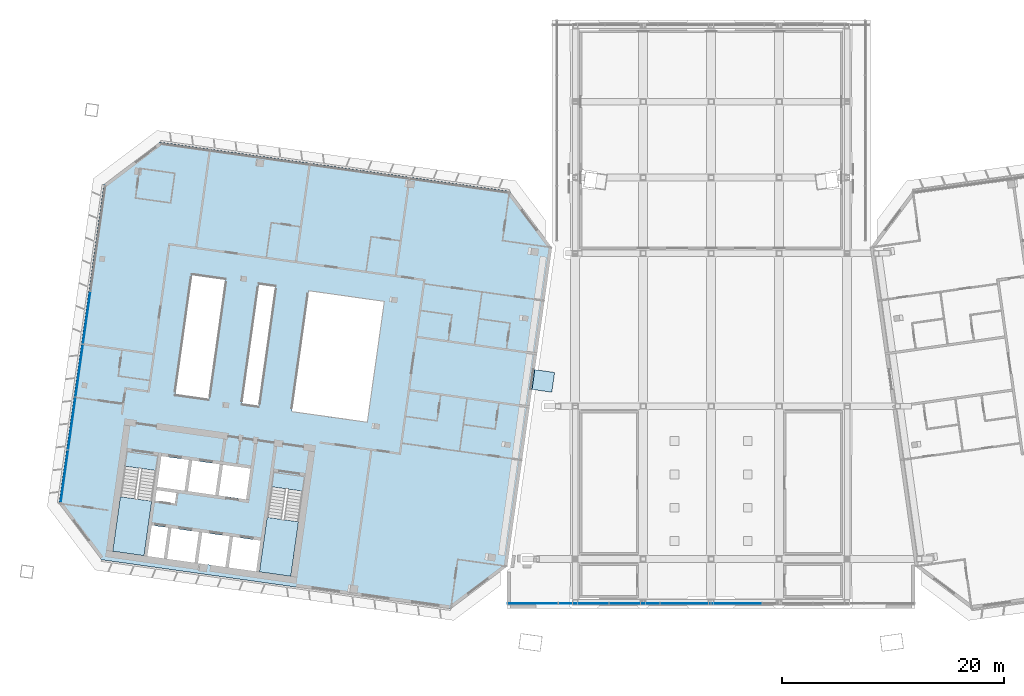
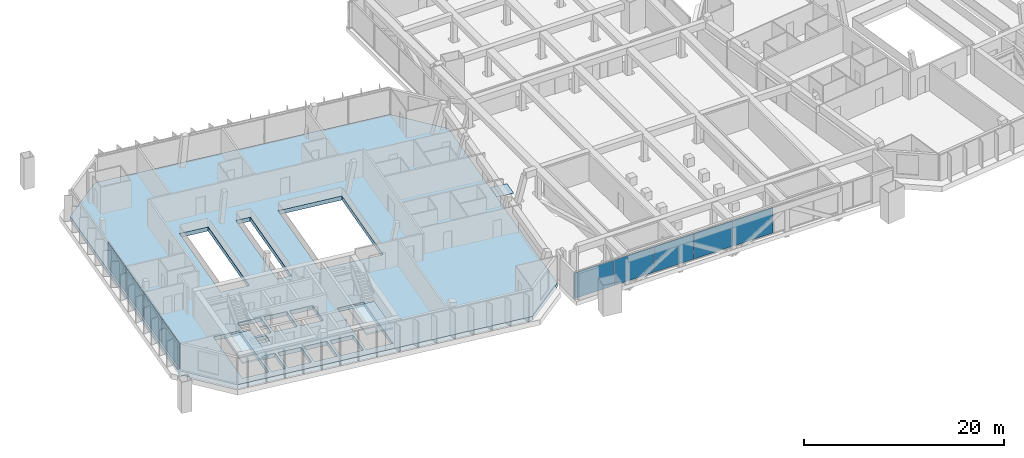
# One storey, part 16 of 30: 10 plates, 3 slabs, 4 elements without a shape of their own.
"""IFC4 building model written with IfcOpenShell, lengths in metres."""

from ifc_helpers import new_model, si_unit, direction, frame, origin, origin_2d, place, context, subcontext, project, spatial, polyline, rectangle, outline, extrude, material, layer, layer_set, type_object, element, aggregate, save


model = new_model("IFC4")

# Units and contexts
model_context = context("Model", 3, precision=1e-05, world=origin(), true_north=direction((0.0, 1.0)))
body_context = subcontext(model_context, "Body", "Model", "MODEL_VIEW")
ifc_project = project(units=[si_unit("LENGTHUNIT", "METRE"), si_unit("AREAUNIT", "SQUARE_METRE"), si_unit("VOLUMEUNIT", "CUBIC_METRE"), si_unit("PLANEANGLEUNIT", "RADIAN"), si_unit("MASSUNIT", "GRAM", prefix="KILO")], contexts=[model_context])

# Site, building, storey
site_placement = place(None, origin())
site = spatial("IfcSite", under=ifc_project, at=site_placement, CompositionType="ELEMENT")
building_placement = place(site_placement, origin())
building = spatial("IfcBuilding", under=site, at=building_placement, Name="Mirante Cascada Hotel Towers", CompositionType="ELEMENT")
storey_placement = place(building_placement, frame((0.0, 0.0, 258.4)))
storey = spatial("IfcBuildingStorey", under=building, at=storey_placement, Name="L62", CompositionType="ELEMENT", Elevation=258.4)

# Curtain wall, plates
ifc_material_1 = material(Name="Aluminium mullion and transom frame with clear laminated glass", Category="aluminium")
curtain_wall_type_1 = type_object("IfcCurtainWallType", Name="End ribbon curtain wall ECW2", PredefinedType="NOTDEFINED", material=ifc_material_1)
curtain_wall_1_placement = place(storey_placement, origin())
curtain_wall_1 = element("IfcCurtainWall", 1, at=curtain_wall_1_placement, inside=storey, type_object=curtain_wall_type_1, Name="Outer end wall T1 L62", PredefinedType="NOTDEFINED")
ifc_material_2 = material(Name="Clear laminated glass", Category="glass")
ifc_layer_1 = layer(ifc_material_2, 0.034)
ifc_layer_set_1 = layer_set([ifc_layer_1], Name="ECW2 glass panel 34")
plate_type_1 = type_object("IfcPlateType", Name="ECW2 glass panel 34", PredefinedType="CURTAIN_PANEL", material=ifc_layer_set_1)
plate_1_placement = place(storey_placement, frame((-58.2609, -10.1616, 0.1), z_axis=(0.0, 0.0, 1.0), x_axis=(0.1391731, 0.9902681, 0.0)))
plate_1 = element("IfcPlate", 2, at=plate_1_placement, type_object=plate_type_1, Name="ECW2 panel 1", PredefinedType="CURTAIN_PANEL", context=body_context, shape_type="SweptSolid", body=[
    extrude(rectangle(XDim=4.7151, YDim=0.034, at=origin_2d()), origin(), (0.0, 0.0, 1.0), 3.1),
])
plate_2_placement = place(storey_placement, frame((-57.5934, -5.4119, 0.1), z_axis=(0.0, 0.0, 1.0), x_axis=(0.1391731, 0.9902681, 0.0)))
plate_2 = element("IfcPlate", 3, at=plate_2_placement, type_object=plate_type_1, Name="ECW2 panel 2", PredefinedType="CURTAIN_PANEL", context=body_context, shape_type="SweptSolid", body=[
    extrude(rectangle(XDim=4.7476, YDim=0.034, at=origin_2d()), origin(), (0.0, 0.0, 1.0), 3.1),
])
plate_3_placement = place(storey_placement, frame((-56.9236, -0.6461, 0.1), z_axis=(0.0, 0.0, 1.0), x_axis=(0.1391731, 0.9902681, 0.0)))
plate_3 = element("IfcPlate", 4, at=plate_3_placement, type_object=plate_type_1, Name="ECW2 panel 3", PredefinedType="CURTAIN_PANEL", context=body_context, shape_type="SweptSolid", body=[
    extrude(rectangle(XDim=4.7476, YDim=0.034, at=origin_2d()), origin(), (0.0, 0.0, 1.0), 3.1),
])
plate_4_placement = place(storey_placement, frame((-56.2538, 4.1197, 0.1), z_axis=(0.0, 0.0, 1.0), x_axis=(0.1391731, 0.9902681, 0.0)))
plate_4 = element("IfcPlate", 5, at=plate_4_placement, type_object=plate_type_1, Name="ECW2 panel 4", PredefinedType="CURTAIN_PANEL", context=body_context, shape_type="SweptSolid", body=[
    extrude(rectangle(XDim=4.7476, YDim=0.034, at=origin_2d()), origin(), (0.0, 0.0, 1.0), 3.1),
])
aggregate(curtain_wall_1, [plate_1, plate_2, plate_3, plate_4])

ifc_material_3 = material(Name="Aluminium mullion and transom frame with clear laminated glass", Category="aluminium")
curtain_wall_type_2 = type_object("IfcCurtainWallType", Name="Sky park deck curtain wall ECW5", PredefinedType="NOTDEFINED", material=ifc_material_3)
curtain_wall_2_placement = place(storey_placement, origin())
curtain_wall_2 = element("IfcCurtainWall", 6, at=curtain_wall_2_placement, inside=storey, type_object=curtain_wall_type_2, Name="Sky park glazing L62 run 1", PredefinedType="NOTDEFINED")
ifc_material_4 = material(Name="Clear laminated glass", Category="glass")
ifc_layer_2 = layer(ifc_material_4, 0.032)
ifc_layer_set_2 = layer_set([ifc_layer_2], Name="ECW5 glass panel 32")
plate_type_2 = type_object("IfcPlateType", Name="ECW5 glass panel 32", PredefinedType="CURTAIN_PANEL", material=ifc_layer_set_2)
plate_5_placement = place(storey_placement, frame((-16.0609, -21.6089, 0.09), z_axis=(0.0, 0.0, 1.0), x_axis=(1.0, 0.0, 0.0)))
plate_5 = element("IfcPlate", 7, at=plate_5_placement, type_object=plate_type_2, Name="ECW5 panel 1", PredefinedType="CURTAIN_PANEL", context=body_context, shape_type="SweptSolid", body=[
    extrude(rectangle(XDim=4.5031, YDim=0.032, at=origin_2d()), origin(), (0.0, 0.0, 1.0), 3.12),
])
ifc_material_5 = material(Name="Insulated aluminium spandrel panel", Category="aluminium")
ifc_layer_3 = layer(ifc_material_5, 0.032)
ifc_layer_set_3 = layer_set([ifc_layer_3], Name="ECW5 spandrel panel 32")
plate_type_3 = type_object("IfcPlateType", Name="ECW5 spandrel panel 32", PredefinedType="CURTAIN_PANEL", material=ifc_layer_set_3)
plate_6_placement = place(storey_placement, frame((-11.4828, -21.6089, 0.09), z_axis=(0.0, 0.0, 1.0), x_axis=(1.0, 0.0, 0.0)))
plate_6 = element("IfcPlate", 8, at=plate_6_placement, type_object=plate_type_3, Name="ECW5 panel 2", PredefinedType="CURTAIN_PANEL", context=body_context, shape_type="SweptSolid", body=[
    extrude(rectangle(XDim=4.5331, YDim=0.032, at=origin_2d()), origin(), (0.0, 0.0, 1.0), 3.12),
])
plate_7_placement = place(storey_placement, frame((-6.8897, -21.6089, 0.09), z_axis=(0.0, 0.0, 1.0), x_axis=(1.0, 0.0, 0.0)))
plate_7 = element("IfcPlate", 9, at=plate_7_placement, type_object=plate_type_3, Name="ECW5 panel 3", PredefinedType="CURTAIN_PANEL", context=body_context, shape_type="SweptSolid", body=[
    extrude(rectangle(XDim=4.5331, YDim=0.032, at=origin_2d()), origin(), (0.0, 0.0, 1.0), 3.12),
])
plate_8_placement = place(storey_placement, frame((-2.2966, -21.6089, 0.09), z_axis=(0.0, 0.0, 1.0), x_axis=(1.0, 0.0, 0.0)))
plate_8 = element("IfcPlate", 10, at=plate_8_placement, type_object=plate_type_3, Name="ECW5 panel 4", PredefinedType="CURTAIN_PANEL", context=body_context, shape_type="SweptSolid", body=[
    extrude(rectangle(XDim=4.5331, YDim=0.032, at=origin_2d()), origin(), (0.0, 0.0, 1.0), 3.12),
])
plate_9_placement = place(storey_placement, frame((2.2966, -21.6089, 0.09), z_axis=(0.0, 0.0, 1.0), x_axis=(1.0, 0.0, 0.0)))
plate_9 = element("IfcPlate", 11, at=plate_9_placement, type_object=plate_type_3, Name="ECW5 panel 5", PredefinedType="CURTAIN_PANEL", context=body_context, shape_type="SweptSolid", body=[
    extrude(rectangle(XDim=4.5331, YDim=0.032, at=origin_2d()), origin(), (0.0, 0.0, 1.0), 3.12),
])
aggregate(curtain_wall_2, [plate_5, plate_6, plate_7, plate_8, plate_9])

# Stair, slab
ifc_material_6 = material(Name="Concrete C35/45", Category="concrete")
stair_type = type_object("IfcStairType", Name="Exit stair half-turn 1350 concrete C35/45", PredefinedType="HALF_TURN_STAIR", material=ifc_material_6)
stair_1_placement = place(storey_placement, origin())
stair_1 = element("IfcStair", 12, at=stair_1_placement, inside=storey, type_object=stair_type, Name="L62 Exit stair A", PredefinedType="HALF_TURN_STAIR")
ifc_material_7 = material(Name="Concrete C35/45", Category="concrete")
ifc_layer_4 = layer(ifc_material_7, 0.2)
ifc_layer_set_4 = layer_set([ifc_layer_4], Name="Exit stair landing 200 concrete C35/45")
slab_type_1 = type_object("IfcSlabType", Name="Exit stair landing 200 concrete C35/45", PredefinedType="LANDING", material=ifc_layer_set_4)
slab_1_placement = place(storey_placement, frame((0.0, 0.0, 1.7)))
slab_1 = element("IfcSlab", 13, at=slab_1_placement, type_object=slab_type_1, Name="ST1-A landing 1", PredefinedType="LANDING", context=body_context, shape_type="SweptSolid", body=[
    extrude(outline(polyline([(-39.9987, -13.8659), (-40.6887, -18.7757), (-37.8665, -19.1723), (-37.1765, -14.2626), (-39.9987, -13.8659)])), origin(), (0.0, 0.0, 1.0), 0.2),
])
aggregate(stair_1, [slab_1])

stair_2_placement = place(storey_placement, origin())
stair_2 = element("IfcStair", 14, at=stair_2_placement, inside=storey, type_object=stair_type, Name="L62 Exit stair B", PredefinedType="HALF_TURN_STAIR")
slab_2_placement = place(storey_placement, frame((0.0, 0.0, 1.7)))
slab_2 = element("IfcSlab", 15, at=slab_2_placement, type_object=slab_type_1, Name="ST1-B landing 1", PredefinedType="LANDING", context=body_context, shape_type="SweptSolid", body=[
    extrude(outline(polyline([(-53.2188, -12.008), (-53.9088, -16.9177), (-51.0866, -17.3144), (-50.3965, -12.4046), (-53.2188, -12.008)])), origin(), (0.0, 0.0, 1.0), 0.2),
])
aggregate(stair_2, [slab_2])

# Plate
ifc_material_8 = material(Name="Stainless steel AISI 316", Category="steel")
ifc_layer_5 = layer(ifc_material_8, 0.015)
ifc_layer_set_5 = layer_set([ifc_layer_5], Name="Joint cover plate 15 stainless")
plate_type_4 = type_object("IfcPlateType", Name="Joint cover plate 15 stainless", PredefinedType="SHEET", material=ifc_layer_set_5)
plate_10_placement = place(storey_placement, frame((-15.1168, -1.5753, 0.0), z_axis=(0.0, 0.0, 1.0), x_axis=(0.9902681, -0.1391731, 0.0)))
element("IfcPlate", 16, at=plate_10_placement, inside=storey, type_object=plate_type_4, Name="Movement joint cover plate D1-62-91", PredefinedType="SHEET", context=body_context, shape_type="SweptSolid", body=[
    extrude(rectangle(XDim=1.8, YDim=1.8, at=origin_2d()), origin(), (0.0, 0.0, 1.0), 0.015),
])

# Slab
ifc_material_9 = material(Name="Concrete C40/50", Category="concrete")
ifc_layer_6 = layer(ifc_material_9, 0.5)
ifc_layer_set_6 = layer_set([ifc_layer_6], Name="Post-tensioned flat plate 500 Concrete C40/50")
slab_type_2 = type_object("IfcSlabType", Name="Post-tensioned flat plate 500 Concrete C40/50", PredefinedType="FLOOR", material=ifc_layer_set_6)
slab_3_placement = place(storey_placement, frame((0.0, 0.0, -0.5)))
element("IfcSlab", 17, at=slab_3_placement, inside=storey, type_object=slab_type_2, Name="Floor T1 L62", PredefinedType="FLOOR", context=body_context, shape_type="SweptSolid", body=[
    extrude(outline(polyline([(-18.3724, -18.2766), (-14.3364, 10.4411), (-18.1663, 15.5236), (-49.6367, 19.9465), (-54.7192, 16.1166), (-58.7552, -12.6012), (-54.9253, -17.6837), (-23.4549, -22.1066), (-18.3724, -18.2766)]), holes=[polyline([(-40.5961, -15.9612), (-40.9858, -18.7339), (-43.4615, -18.386), (-43.0718, -15.6132), (-40.5961, -15.9612)]), polyline([(-43.3689, -15.5715), (-43.7586, -18.3442), (-46.2342, -17.9963), (-45.8446, -15.2236), (-43.3689, -15.5715)]), polyline([(-37.8665, -19.1723), (-40.6887, -18.7757), (-39.611, -11.107), (-36.7887, -11.5037), (-37.8665, -19.1723)]), polyline([(-43.9775, -9.124), (-41.5018, -9.472), (-41.8915, -12.2447), (-44.3672, -11.8968), (-43.9775, -9.124)]), polyline([(-46.7503, -8.7344), (-44.2746, -9.0823), (-44.6643, -11.855), (-47.1399, -11.5071), (-46.7503, -8.7344)]), polyline([(-37.7805, -4.3399), (-36.2496, 6.553), (-29.4384, 5.5958), (-30.9693, -5.2972), (-37.7805, -4.3399)]), polyline([(-42.2763, -3.7081), (-42.2763, -3.7081), (-40.7454, 7.1849), (-39.2224, 6.9708), (-40.7533, -3.9221), (-40.7533, -3.9221), (-42.2763, -3.7081)]), polyline([(-48.298, -2.8618), (-46.7671, 8.0312), (-43.7182, 7.6027), (-45.2491, -3.2903), (-45.2491, -3.2903), (-48.298, -2.8618)]), polyline([(-48.6173, -14.8339), (-46.1416, -15.1818), (-46.5313, -17.9546), (-49.007, -17.6066), (-48.6173, -14.8339)]), polyline([(-50.3998, -14.5834), (-48.9144, -14.7921), (-49.3041, -17.5649), (-50.7895, -17.3561), (-50.3998, -14.5834)]), polyline([(-51.0866, -17.3144), (-53.9088, -16.9177), (-52.8311, -9.2491), (-50.0088, -9.6457), (-51.0866, -17.3144)]), polyline([(-49.9544, -11.4145), (-48.1472, -11.6685), (-48.2829, -12.634), (-50.0901, -12.38), (-49.9544, -11.4145)]), polyline([(-49.523, -8.3447), (-47.0473, -8.6926), (-47.437, -11.4654), (-49.9127, -11.1174), (-49.523, -8.3447)])]), origin(), (0.0, 0.0, 1.0), 0.5),
])

save(model, "model.ifc")
